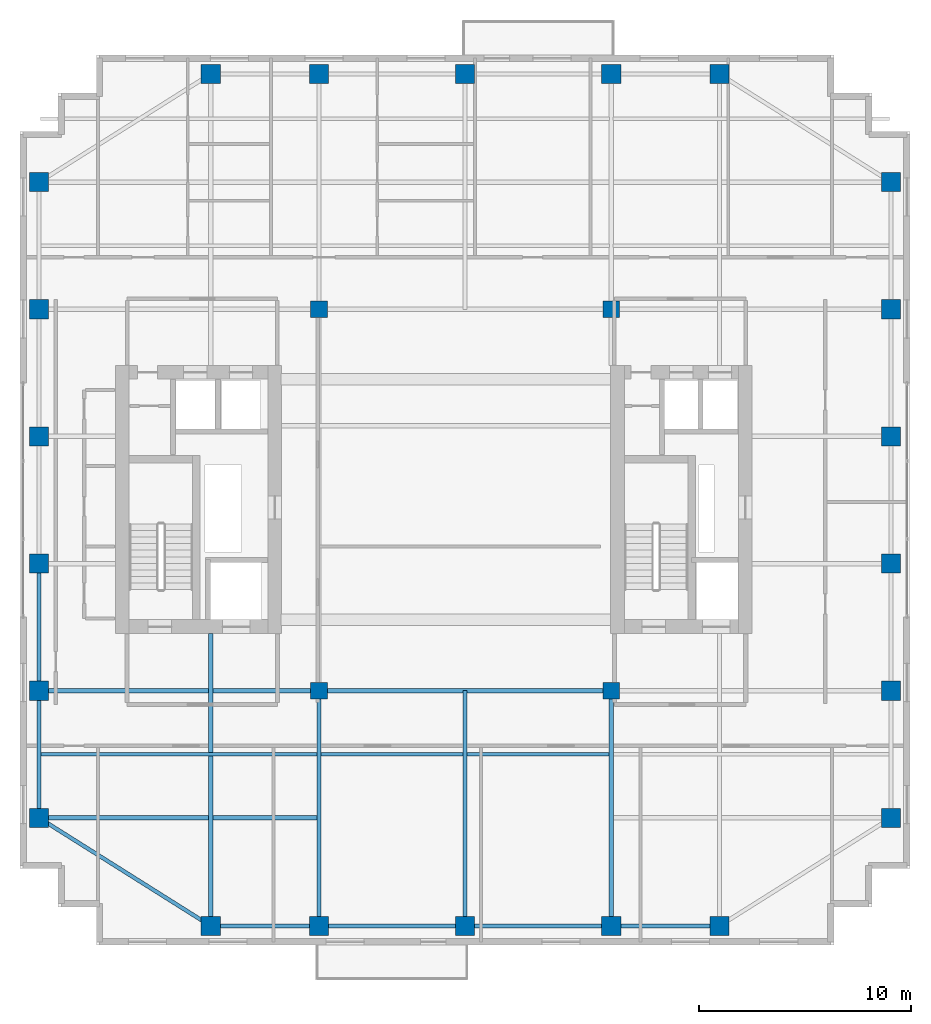
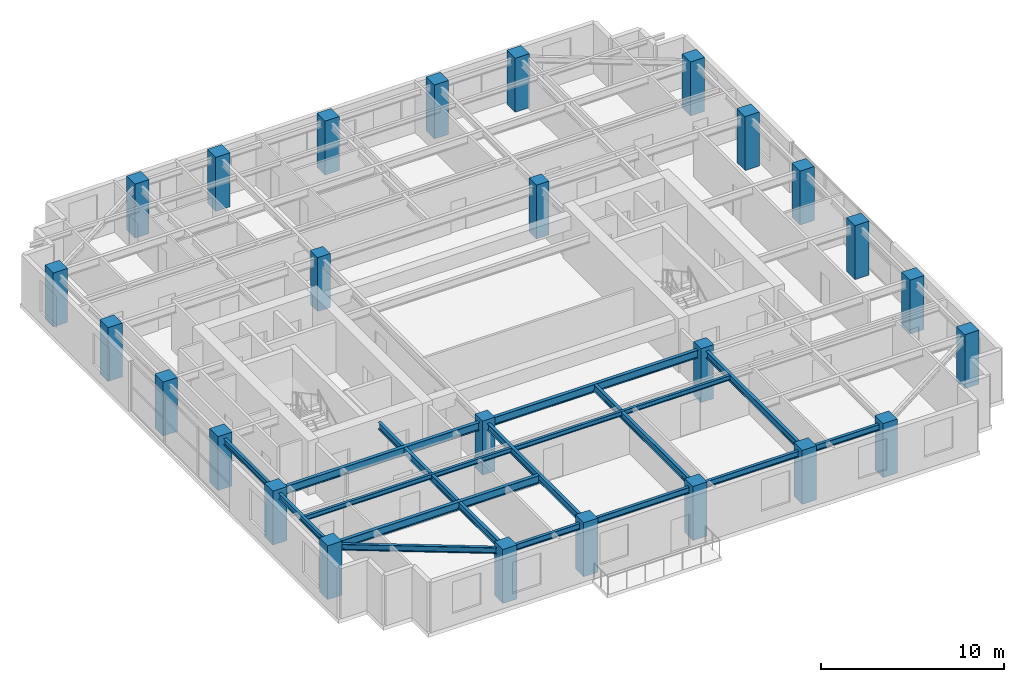
# One storey, part 1 of 14: 26 columns, 16 beams.
"""IFC4 building model written with IfcOpenShell, lengths in metres."""

from ifc_helpers import new_model, si_unit, direction, frame, origin, origin_2d, place, context, subcontext, project, spatial, rectangle, i_section, extrude, source, transform, mapped, material, material_profile, profile_set, type_object, element, save


model = new_model("IFC4")

# Units and contexts
model_context = context("Model", 3, precision=1e-05, world=origin(), true_north=direction((0.0, 1.0)))
body_context = subcontext(model_context, "Body", "Model", "MODEL_VIEW")
ifc_project = project(units=[si_unit("LENGTHUNIT", "METRE"), si_unit("AREAUNIT", "SQUARE_METRE"), si_unit("VOLUMEUNIT", "CUBIC_METRE"), si_unit("PLANEANGLEUNIT", "RADIAN"), si_unit("MASSUNIT", "GRAM", prefix="KILO")], contexts=[model_context])

# Site, building, storey
site_placement = place(None, origin())
site = spatial("IfcSite", under=ifc_project, at=site_placement, CompositionType="ELEMENT")
building_placement = place(site_placement, origin())
building = spatial("IfcBuilding", under=site, at=building_placement, Name="Khoralis Quay Care Tower", CompositionType="ELEMENT")
storey_placement = place(building_placement, frame((0.0, 0.0, 177.300048828125)))
storey = spatial("IfcBuildingStorey", under=building, at=storey_placement, Name="L46", CompositionType="ELEMENT", Elevation=177.300048828125)

# Columns
ifc_material_1 = material(Name="Concrete C65/80", Category="concrete")
ifc_material_profile_1 = material_profile(ifc_material_1, rectangle(XDim=0.89990234375, YDim=0.89990234375, at=origin_2d()), Name="Concrete C65/80")
ifc_profile_set_1 = profile_set([ifc_material_profile_1], Name="Concrete C65/80")
column_type_1 = type_object("IfcColumnType", Name="COL-C900", PredefinedType="COLUMN", material=ifc_profile_set_1)
shared_shape_1 = source(origin(), body_context, "Body", "SweptSolid", [
    extrude(rectangle(XDim=0.89990234375, YDim=0.89990234375, at=origin_2d()), origin(), (0.0, 0.0, 1.0), 3.599853515625),
])
for number, where, z_axis, x_axis, name in (
    (1, (12.0, 0.89990234375, 0.0), (0.0, 0.0, 1.0), (1.0, 0.0, 0.0), "COL-TWR-L46-01"),
    (2, (12.0, 41.10009765625, 0.0), (0.0, 0.0, 1.0), (1.0, 0.0, 0.0), "COL-TWR-L46-02"),
    (3, (17.10009765625, 0.89990234375, 0.0), (0.0, 0.0, 1.0), (1.0, 0.0, 0.0), "COL-TWR-L46-03"),
    (4, (17.10009765625, 41.10009765625, 0.0), (0.0, 0.0, 1.0), (1.0, 0.0, 0.0), "COL-TWR-L46-04"),
    (5, (24.0, 0.89990234375, 0.0), (0.0, 0.0, 1.0), (1.0, 0.0, 0.0), "COL-TWR-L46-05"),
    (6, (24.0, 41.10009765625, 0.0), (0.0, 0.0, 1.0), (1.0, 0.0, 0.0), "COL-TWR-L46-06"),
    (7, (30.89990234375, 0.89990234375, 0.0), (0.0, 0.0, 1.0), (1.0, 0.0, 0.0), "COL-TWR-L46-07"),
    (8, (30.89990234375, 41.10009765625, 0.0), (0.0, 0.0, 1.0), (1.0, 0.0, 0.0), "COL-TWR-L46-08"),
    (9, (36.0, 0.89990234375, 0.0), (0.0, 0.0, 1.0), (1.0, 0.0, 0.0), "COL-TWR-L46-09"),
    (10, (36.0, 41.10009765625, 0.0), (0.0, 0.0, 1.0), (1.0, 0.0, 0.0), "COL-TWR-L46-10"),
    (11, (3.89990234375, 6.0, 0.0), (0.0, 0.0, 1.0), (1.0, 0.0, 0.0), "COL-TWR-L46-11"),
    (12, (44.10009765625, 6.0, 0.0), (0.0, 0.0, 1.0), (1.0, 0.0, 0.0), "COL-TWR-L46-12"),
    (13, (3.89990234375, 12.0, 0.0), (0.0, 0.0, 1.0), (1.0, 0.0, 0.0), "COL-TWR-L46-13"),
    (14, (44.10009765625, 12.0, 0.0), (0.0, 0.0, 1.0), (1.0, 0.0, 0.0), "COL-TWR-L46-14"),
    (15, (3.89990234375, 18.0, 0.0), (0.0, 0.0, 1.0), (1.0, 0.0, 0.0), "COL-TWR-L46-15"),
    (16, (44.10009765625, 18.0, 0.0), (0.0, 0.0, 1.0), (1.0, 0.0, 0.0), "COL-TWR-L46-16"),
    (17, (3.89990234375, 24.0, 0.0), (0.0, 0.0, 1.0), (1.0, 0.0, 0.0), "COL-TWR-L46-17"),
    (18, (44.10009765625, 24.0, 0.0), (0.0, 0.0, 1.0), (1.0, 0.0, 0.0), "COL-TWR-L46-18"),
    (19, (3.89990234375, 30.0, 0.0), (0.0, 0.0, 1.0), (1.0, 0.0, 0.0), "COL-TWR-L46-19"),
    (20, (44.10009765625, 30.0, 0.0), (0.0, 0.0, 1.0), (1.0, 0.0, 0.0), "COL-TWR-L46-20"),
    (21, (3.89990234375, 36.0, 0.0), (0.0, 0.0, 1.0), (1.0, 0.0, 0.0), "COL-TWR-L46-21"),
    (22, (44.10009765625, 36.0, 0.0), (0.0, 0.0, 1.0), (1.0, 0.0, 0.0), "COL-TWR-L46-22"),
):
    element("IfcColumn", number, at=place(storey_placement, frame(where, z_axis=z_axis, x_axis=x_axis)), inside=storey, type_object=column_type_1, Name=name, PredefinedType="COLUMN", context=body_context, shape_type="MappedRepresentation", body=[
        mapped(shared_shape_1, transform((0.0, 0.0, 0.0), scale=1.0)),
    ])
ifc_material_2 = material(Name="Concrete C50/60", Category="concrete")
ifc_material_profile_2 = material_profile(ifc_material_2, rectangle(XDim=0.800048828125, YDim=0.800048828125, at=origin_2d()), Name="Concrete C50/60")
ifc_profile_set_2 = profile_set([ifc_material_profile_2], Name="Concrete C50/60")
column_type_2 = type_object("IfcColumnType", Name="COL-C800", PredefinedType="COLUMN", material=ifc_profile_set_2)
shared_shape_2 = source(origin(), body_context, "Body", "SweptSolid", [
    extrude(rectangle(XDim=0.800048828125, YDim=0.800048828125, at=origin_2d()), origin(), (0.0, 0.0, 1.0), 3.599853515625),
])
for number, where, z_axis, x_axis, name in (
    (23, (17.10009765625, 12.0, 0.0), (0.0, 0.0, 1.0), (1.0, 0.0, 0.0), "COL-TWR-L46-23"),
    (24, (17.10009765625, 30.0, 0.0), (0.0, 0.0, 1.0), (1.0, 0.0, 0.0), "COL-TWR-L46-24"),
    (25, (30.89990234375, 12.0, 0.0), (0.0, 0.0, 1.0), (1.0, 0.0, 0.0), "COL-TWR-L46-25"),
    (26, (30.89990234375, 30.0, 0.0), (0.0, 0.0, 1.0), (1.0, 0.0, 0.0), "COL-TWR-L46-26"),
):
    element("IfcColumn", number, at=place(storey_placement, frame(where, z_axis=z_axis, x_axis=x_axis)), inside=storey, type_object=column_type_2, Name=name, PredefinedType="COLUMN", context=body_context, shape_type="MappedRepresentation", body=[
        mapped(shared_shape_2, transform((0.0, 0.0, 0.0), scale=1.0)),
    ])

# Beams
ifc_material_3 = material(Name="Steel S355", Category="steel")
ifc_material_profile_3 = material_profile(ifc_material_3, i_section(OverallWidth=0.179931640625, OverallDepth=0.39990234375, WebThickness=0.008544921875, FlangeThickness=0.013427734375, FilletRadius=0.02099609375, at=origin_2d()), Name="Steel S355")
ifc_profile_set_3 = profile_set([ifc_material_profile_3], Name="Steel S355")
beam_type_1 = type_object("IfcBeamType", Name="BM-IPE400", PredefinedType="SPANDREL", material=ifc_profile_set_3)
shared_shape_3 = source(origin(), body_context, "Body", "SweptSolid", [
    extrude(i_section(OverallWidth=0.179931640625, OverallDepth=0.39990234375, WebThickness=0.008544921875, FlangeThickness=0.013427734375, FilletRadius=0.02099609375, at=origin_2d()), origin(), (0.0, 0.0, 1.0), 6.0),
])
for number, where, z_axis, x_axis, name in (
    (27, (3.89990234375, 6.0, 3.139892578125), (0.0, 1.0, 0.0), (-1.0, 0.0, 0.0), "BM-TSP-L46-09"),
    (28, (3.89990234375, 12.0, 3.139892578125), (0.0, 1.0, 0.0), (-1.0, 0.0, 0.0), "BM-TSP-L46-10"),
):
    element("IfcBeam", number, at=place(storey_placement, frame(where, z_axis=z_axis, x_axis=x_axis)), inside=storey, type_object=beam_type_1, Name=name, PredefinedType="SPANDREL", context=body_context, shape_type="MappedRepresentation", body=[
        mapped(shared_shape_3, transform((0.0, 0.0, 0.0), scale=1.0)),
    ])
shared_shape_4 = source(origin(), body_context, "Body", "SweptSolid", [
    extrude(i_section(OverallWidth=0.179931640625, OverallDepth=0.39990234375, WebThickness=0.008544921875, FlangeThickness=0.013427734375, FilletRadius=0.02099609375, at=origin_2d()), origin(), (0.0, 0.0, 1.0), 5.10009765625),
])
for number, where, z_axis, x_axis, name in (
    (29, (12.0, 0.89990234375, 3.139892578125), (1.0, 0.0, 0.0), (0.0, 1.0, 0.0), "BM-TSP-L46-01"),
    (30, (30.89990234375, 0.89990234375, 3.139892578125), (1.0, 0.0, 0.0), (0.0, 1.0, 0.0), "BM-TSP-L46-04"),
):
    element("IfcBeam", number, at=place(storey_placement, frame(where, z_axis=z_axis, x_axis=x_axis)), inside=storey, type_object=beam_type_1, Name=name, PredefinedType="SPANDREL", context=body_context, shape_type="MappedRepresentation", body=[
        mapped(shared_shape_4, transform((0.0, 0.0, 0.0), scale=1.0)),
    ])
shared_shape_5 = source(origin(), body_context, "Body", "SweptSolid", [
    extrude(i_section(OverallWidth=0.179931640625, OverallDepth=0.39990234375, WebThickness=0.008544921875, FlangeThickness=0.013427734375, FilletRadius=0.02099609375, at=origin_2d()), origin(), (0.0, 0.0, 1.0), 6.89990234375),
])
for number, where, z_axis, x_axis, name in (
    (31, (17.10009765625, 0.89990234375, 3.139892578125), (1.0, 0.0, 0.0), (0.0, 1.0, 0.0), "BM-TSP-L46-02"),
    (32, (24.0, 0.89990234375, 3.139892578125), (1.0, 0.0, 0.0), (0.0, 1.0, 0.0), "BM-TSP-L46-03"),
):
    element("IfcBeam", number, at=place(storey_placement, frame(where, z_axis=z_axis, x_axis=x_axis)), inside=storey, type_object=beam_type_1, Name=name, PredefinedType="SPANDREL", context=body_context, shape_type="MappedRepresentation", body=[
        mapped(shared_shape_5, transform((0.0, 0.0, 0.0), scale=1.0)),
    ])
shared_shape_6 = source(origin(), body_context, "Body", "SweptSolid", [
    extrude(i_section(OverallWidth=0.179931640625, OverallDepth=0.39990234375, WebThickness=0.008544921875, FlangeThickness=0.013427734375, FilletRadius=0.02099609375, at=origin_2d()), origin(), (0.0, 0.0, 1.0), 9.572021484375),
])
beam_1_placement = place(storey_placement, frame((12.0, 0.89990234375, 3.139892578125), z_axis=(-0.846231136359, 0.532815975602, 0.0), x_axis=(-0.532815975602, -0.846231136359, 0.0)))
element("IfcBeam", 33, at=beam_1_placement, inside=storey, type_object=beam_type_1, Name="BM-TCR-L46-19", PredefinedType="SPANDREL", context=body_context, shape_type="MappedRepresentation", body=[
    mapped(shared_shape_6, transform((0.0, 0.0, 0.0), scale=1.0)),
])
ifc_material_profile_4 = material_profile(ifc_material_3, i_section(OverallWidth=0.208984375, OverallDepth=0.532958984375, WebThickness=0.01025390625, FlangeThickness=0.015625, FilletRadius=0.01611328125, at=origin_2d()), Name="Steel S355")
ifc_profile_set_4 = profile_set([ifc_material_profile_4], Name="Steel S355")
beam_type_2 = type_object("IfcBeamType", Name="BM-W530X92", PredefinedType="BEAM", material=ifc_profile_set_4)
shared_shape_7 = source(origin(), body_context, "Body", "SweptSolid", [
    extrude(i_section(OverallWidth=0.208984375, OverallDepth=0.532958984375, WebThickness=0.01025390625, FlangeThickness=0.015625, FilletRadius=0.01611328125, at=origin_2d()), origin(), (0.0, 0.0, 1.0), 13.1162109375),
])
beam_2_placement = place(storey_placement, frame((3.89990234375, 6.0, 3.073486328125), z_axis=(1.0, 0.0, 0.0), x_axis=(0.0, 1.0, 0.0)))
element("IfcBeam", 34, at=beam_2_placement, inside=storey, type_object=beam_type_2, Name="BM-TGXW-L46-60", PredefinedType="BEAM", context=body_context, shape_type="MappedRepresentation", body=[
    mapped(shared_shape_7, transform((0.0, 0.0, 0.0), scale=1.0)),
])
shared_shape_8 = source(origin(), body_context, "Body", "SweptSolid", [
    extrude(i_section(OverallWidth=0.208984375, OverallDepth=0.532958984375, WebThickness=0.01025390625, FlangeThickness=0.015625, FilletRadius=0.01611328125, at=origin_2d()), origin(), (0.0, 0.0, 1.0), 13.2001953125),
])
beam_3_placement = place(storey_placement, frame((3.89990234375, 12.0, 3.073486328125), z_axis=(1.0, 0.0, 0.0), x_axis=(0.0, 1.0, 0.0)))
element("IfcBeam", 35, at=beam_3_placement, inside=storey, type_object=beam_type_2, Name="BM-TGXW-L46-120", PredefinedType="BEAM", context=body_context, shape_type="MappedRepresentation", body=[
    mapped(shared_shape_8, transform((0.0, 0.0, 0.0), scale=1.0)),
])
shared_shape_9 = source(origin(), body_context, "Body", "SweptSolid", [
    extrude(i_section(OverallWidth=0.208984375, OverallDepth=0.532958984375, WebThickness=0.01025390625, FlangeThickness=0.015625, FilletRadius=0.01611328125, at=origin_2d()), origin(), (0.0, 0.0, 1.0), 13.7998046875),
])
beam_4_placement = place(storey_placement, frame((17.10009765625, 12.0, 3.073486328125), z_axis=(1.0, 0.0, 0.0), x_axis=(0.0, 1.0, 0.0)))
element("IfcBeam", 36, at=beam_4_placement, inside=storey, type_object=beam_type_2, Name="BM-TGCC-L46-120", PredefinedType="BEAM", context=body_context, shape_type="MappedRepresentation", body=[
    mapped(shared_shape_9, transform((0.0, 0.0, 0.0), scale=1.0)),
])
ifc_material_profile_5 = material_profile(ifc_material_3, i_section(OverallWidth=0.19189453125, OverallDepth=0.462890625, WebThickness=0.010498046875, FlangeThickness=0.017578125, FilletRadius=0.014892578125, at=origin_2d()), Name="Steel S355")
ifc_profile_set_5 = profile_set([ifc_material_profile_5], Name="Steel S355")
beam_type_3 = type_object("IfcBeamType", Name="BM-W460X89", PredefinedType="BEAM", material=ifc_profile_set_5)
shared_shape_10 = source(origin(), body_context, "Body", "SweptSolid", [
    extrude(i_section(OverallWidth=0.19189453125, OverallDepth=0.462890625, WebThickness=0.010498046875, FlangeThickness=0.017578125, FilletRadius=0.014892578125, at=origin_2d()), origin(), (0.0, 0.0, 1.0), 13.802001953125),
])
beam_5_placement = place(storey_placement, frame((12.0, 0.89990234375, 3.1083984375), z_axis=(0.0, 1.0, 0.0), x_axis=(-1.0, 0.0, 0.0)))
element("IfcBeam", 37, at=beam_5_placement, inside=storey, type_object=beam_type_3, Name="BM-TGYS-L46-120", PredefinedType="BEAM", context=body_context, shape_type="MappedRepresentation", body=[
    mapped(shared_shape_10, transform((0.0, 0.0, 0.0), scale=1.0)),
])
shared_shape_11 = source(origin(), body_context, "Body", "SweptSolid", [
    extrude(i_section(OverallWidth=0.19189453125, OverallDepth=0.462890625, WebThickness=0.010498046875, FlangeThickness=0.017578125, FilletRadius=0.014892578125, at=origin_2d()), origin(), (0.0, 0.0, 1.0), 11.10009765625),
])
for number, where, z_axis, x_axis, name in (
    (38, (17.10009765625, 0.89990234375, 3.1083984375), (0.0, 1.0, 0.0), (-1.0, 0.0, 0.0), "BM-TGYS-L46-171"),
    (39, (24.0, 0.89990234375, 3.1083984375), (0.0, 1.0, 0.0), (-1.0, 0.0, 0.0), "BM-TGYS-L46-240"),
    (40, (30.89990234375, 0.89990234375, 3.1083984375), (0.0, 1.0, 0.0), (-1.0, 0.0, 0.0), "BM-TGYS-L46-309"),
):
    element("IfcBeam", number, at=place(storey_placement, frame(where, z_axis=z_axis, x_axis=x_axis)), inside=storey, type_object=beam_type_3, Name=name, PredefinedType="BEAM", context=body_context, shape_type="MappedRepresentation", body=[
        mapped(shared_shape_11, transform((0.0, 0.0, 0.0), scale=1.0)),
    ])
ifc_material_profile_6 = material_profile(ifc_material_3, i_section(OverallWidth=0.1650390625, OverallDepth=0.31005859375, WebThickness=0.005859375, FlangeThickness=0.009765625, FilletRadius=0.011962890625, at=origin_2d()), Name="Steel S355")
ifc_profile_set_6 = profile_set([ifc_material_profile_6], Name="Steel S355")
beam_type_4 = type_object("IfcBeamType", Name="BM-W310X39", PredefinedType="JOIST", material=ifc_profile_set_6)
shared_shape_12 = source(origin(), body_context, "Body", "SweptSolid", [
    extrude(i_section(OverallWidth=0.1650390625, OverallDepth=0.31005859375, WebThickness=0.005859375, FlangeThickness=0.009765625, FilletRadius=0.011962890625, at=origin_2d()), origin(), (0.0, 0.0, 1.0), 13.0400390625),
])
beam_6_placement = place(storey_placement, frame((3.97607421875, 9.0, 3.18505859375), z_axis=(1.0, 0.0, 0.0), x_axis=(0.0, 1.0, 0.0)))
element("IfcBeam", 41, at=beam_6_placement, inside=storey, type_object=beam_type_4, Name="BM-TJS-L46-23", PredefinedType="JOIST", context=body_context, shape_type="MappedRepresentation", body=[
    mapped(shared_shape_12, transform((0.0, 0.0, 0.0), scale=1.0)),
])
shared_shape_13 = source(origin(), body_context, "Body", "SweptSolid", [
    extrude(i_section(OverallWidth=0.1650390625, OverallDepth=0.31005859375, WebThickness=0.005859375, FlangeThickness=0.009765625, FilletRadius=0.011962890625, at=origin_2d()), origin(), (0.0, 0.0, 1.0), 13.6318359375),
])
beam_7_placement = place(storey_placement, frame((17.18408203125, 9.0, 3.18505859375), z_axis=(1.0, 0.0, 0.0), x_axis=(0.0, 1.0, 0.0)))
element("IfcBeam", 42, at=beam_7_placement, inside=storey, type_object=beam_type_4, Name="BM-TJS-L46-25", PredefinedType="JOIST", context=body_context, shape_type="MappedRepresentation", body=[
    mapped(shared_shape_13, transform((0.0, 0.0, 0.0), scale=1.0)),
])

save(model, "model.ifc")
